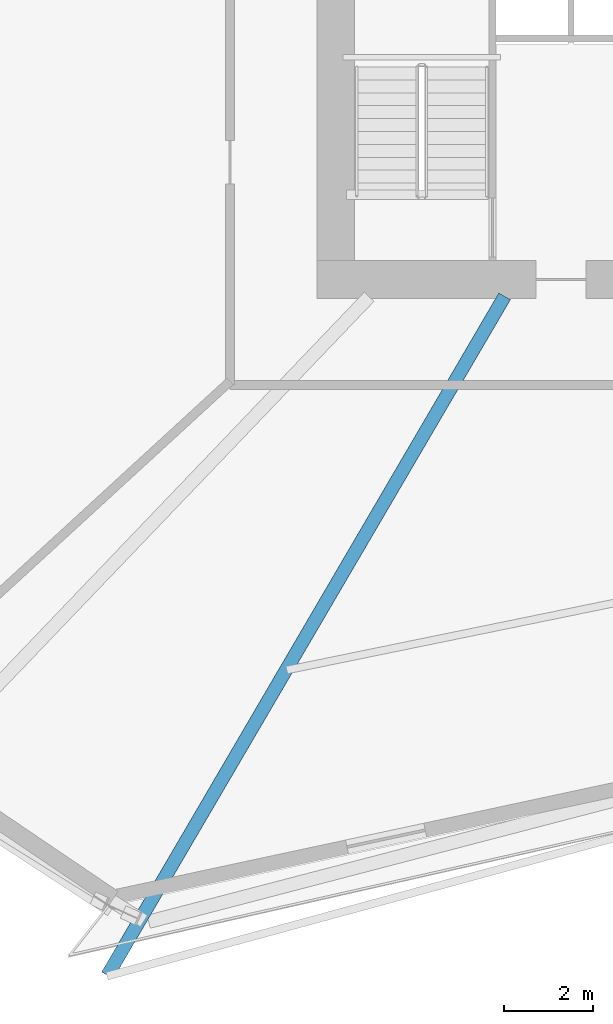
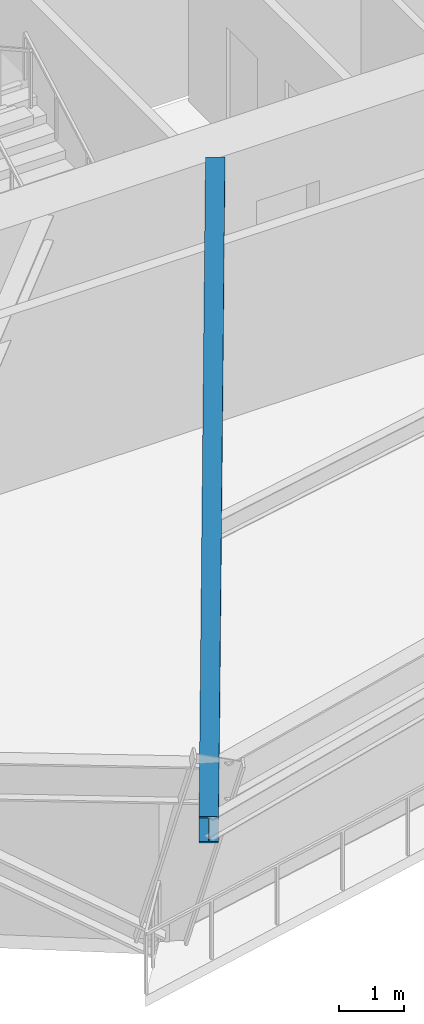
# One storey, part 3 of 21: 1 beam.
"""IFC4 building model written with IfcOpenShell, lengths in metres."""

from ifc_helpers import new_model, si_unit, direction, frame, origin, origin_2d, place, context, subcontext, project, spatial, i_section, extrude, source, transform, mapped, material, material_profile, profile_set, type_object, element, save


model = new_model("IFC4")

# Units and contexts
model_context = context("Model", 3, precision=1e-05, world=origin(), true_north=direction((0.0, 1.0)))
body_context = subcontext(model_context, "Body", "Model", "MODEL_VIEW")
ifc_project = project(units=[si_unit("LENGTHUNIT", "METRE"), si_unit("AREAUNIT", "SQUARE_METRE"), si_unit("VOLUMEUNIT", "CUBIC_METRE"), si_unit("PLANEANGLEUNIT", "RADIAN"), si_unit("MASSUNIT", "GRAM", prefix="KILO")], contexts=[model_context])

# Site, building, storey
site_placement = place(None, origin())
site = spatial("IfcSite", under=ifc_project, at=site_placement, CompositionType="ELEMENT")
building_placement = place(site_placement, origin())
building = spatial("IfcBuilding", under=site, at=building_placement, Name="Olszyna Solenne Hotel", CompositionType="ELEMENT")
storey_placement = place(building_placement, frame((0.0, 0.0, 39.949951171875)))
storey = spatial("IfcBuildingStorey", under=building, at=storey_placement, Name="L09", CompositionType="ELEMENT", Elevation=39.949951171875)

# Beam
ifc_material = material(Name="Steel S355J2", Category="steel")
ifc_material_profile = material_profile(ifc_material, i_section(OverallWidth=0.300048828125, OverallDepth=0.489990234375, WebThickness=0.011962890625, FlangeThickness=0.02294921875, at=origin_2d()), Name="HEA 500", Category="load-bearing")
ifc_profile_set = profile_set([ifc_material_profile], Name="Steel S355J2")
beam_type = type_object("IfcBeamType", Name="BM-G1", PredefinedType="BEAM", material=ifc_profile_set)
shared_shape = source(origin(), body_context, "Body", "SweptSolid", [
    extrude(i_section(OverallWidth=0.300048828125, OverallDepth=0.489990234375, WebThickness=0.011962890625, FlangeThickness=0.02294921875, at=origin_2d()), origin(), (0.0, 0.0, 1.0), 17.682373046875),
])
beam_placement = place(storey_placement, frame((24.54541015625, 3.429931640625, 3.054931640625), z_axis=(0.504855363705, 0.863203951415, 0.0), x_axis=(-0.863203951415, 0.504855363705, 0.0)))
element("IfcBeam", 1, at=beam_placement, inside=storey, type_object=beam_type, Name="Radial floor girder BM-G1 B-L09-0308", PredefinedType="BEAM", context=body_context, shape_type="MappedRepresentation", body=[
    mapped(shared_shape, transform((0.0, 0.0, 0.0), x_axis=(1.0, 0.0, 0.0), y_axis=(0.0, 1.0, 0.0), z_axis=(0.0, 0.0, 1.0), scale=1.0)),
])

save(model, "model.ifc")
